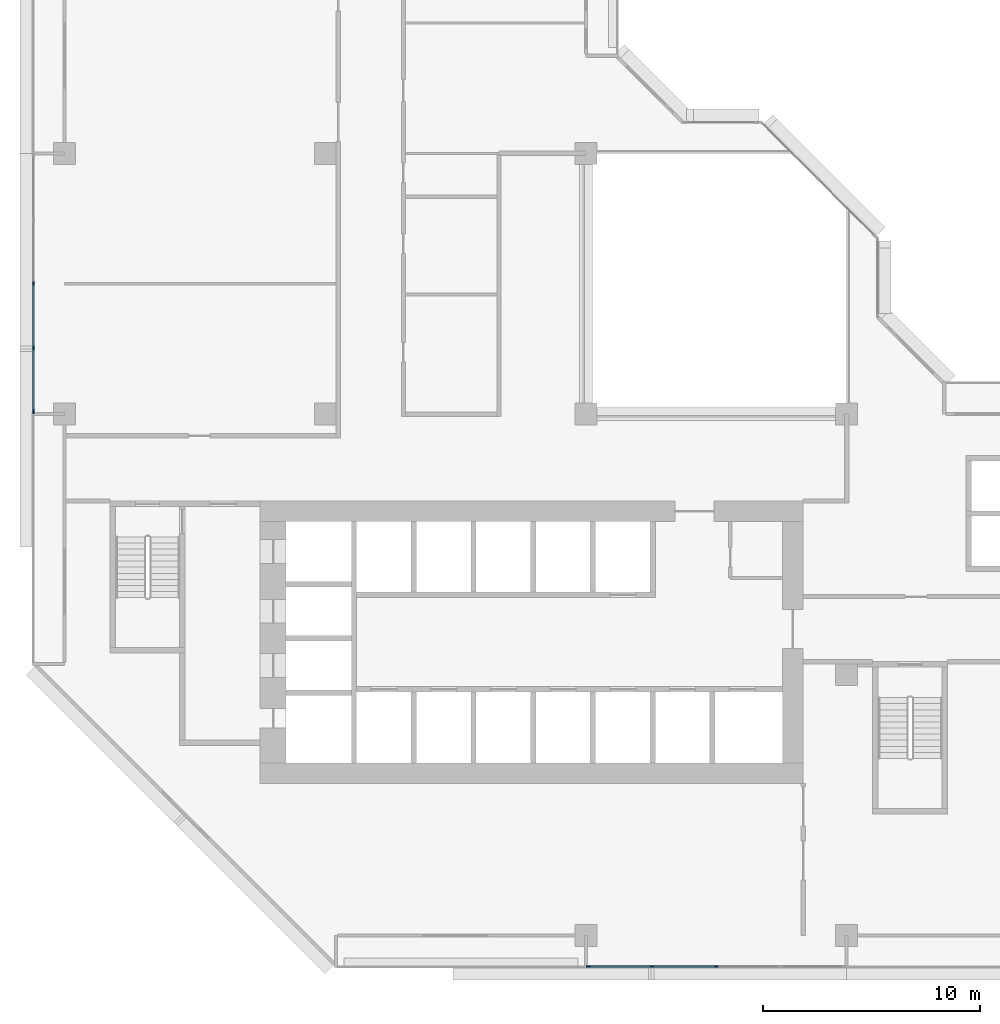
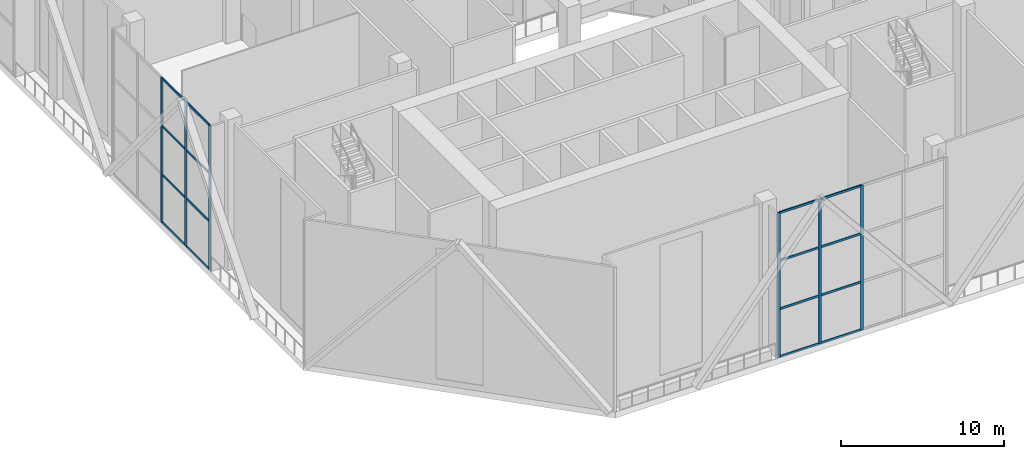
# One storey, part 2 of 21: 22 members, 2 elements without a shape of their own.
"""IFC4 building model written with IfcOpenShell, lengths in metres."""

from ifc_helpers import new_model, si_unit, direction, frame, origin, origin_2d, place, context, subcontext, project, spatial, rectangle, extrude, material, layer, layer_set, material_profile, profile_set, type_object, element, aggregate, save


model = new_model("IFC4")

# Units and contexts
model_context = context("Model", 3, precision=1e-05, world=origin(), true_north=direction((0.0, 1.0)))
body_context = subcontext(model_context, "Body", "Model", "MODEL_VIEW")
ifc_project = project(units=[si_unit("LENGTHUNIT", "METRE"), si_unit("AREAUNIT", "SQUARE_METRE"), si_unit("VOLUMEUNIT", "CUBIC_METRE"), si_unit("PLANEANGLEUNIT", "RADIAN"), si_unit("MASSUNIT", "GRAM", prefix="KILO")], contexts=[model_context])

# Site, building, storey
site_placement = place(None, origin())
site = spatial("IfcSite", under=ifc_project, at=site_placement, CompositionType="ELEMENT")
building_placement = place(site_placement, origin())
building = spatial("IfcBuilding", under=site, at=building_placement, Name="Chenar Terraces", CompositionType="ELEMENT")
storey_placement = place(building_placement, frame((0.0, 0.0, 146.14990234375)))
storey = spatial("IfcBuildingStorey", under=building, at=storey_placement, Name="L34", CompositionType="ELEMENT", Elevation=146.14990234375)

# Curtain wall, members
ifc_material_1 = material(Name="Aluminium framed glazing", Category="aluminium")
ifc_layer = layer(ifc_material_1, 0.14990234375)
ifc_layer_set = layer_set([ifc_layer], Name="Aluminium framed glazing")
curtain_wall_type = type_object("IfcCurtainWallType", Name="Sky garden curtain wall", PredefinedType="NOTDEFINED", material=ifc_layer_set)
placement = place(storey_placement, origin())
curtain_wall_1 = element("IfcCurtainWall", 1, at=placement, inside=storey, type_object=curtain_wall_type, Name="Sky garden curtain wall", PredefinedType="NOTDEFINED")
ifc_material_2 = material(Name="Aluminium", Category="aluminium")
ifc_material_profile_1 = material_profile(ifc_material_2, rectangle(XDim=0.080078125, YDim=0.199951171875, at=origin_2d()), Name="Sky garden mullion 80 x 200")
ifc_profile_set_1 = profile_set([ifc_material_profile_1], Name="Aluminium")
member_type_1 = type_object("IfcMemberType", Name="Sky garden mullion 80 x 200", PredefinedType="MULLION", material=ifc_profile_set_1)
member_1_placement = place(storey_placement, frame((-1.425048828125, 30.0, 0.0), z_axis=(0.0, 0.0, 1.0), x_axis=(1.0, 0.0, 0.0)))
member_1 = element("IfcMember", 2, at=member_1_placement, type_object=member_type_1, Name="CW3-05 mullion 3", PredefinedType="MULLION", context=body_context, shape_type="SweptSolid", body=[
    extrude(rectangle(XDim=0.080078125, YDim=0.199951171875, at=origin_2d()), origin(), (0.0, 0.0, 1.0), 10.85009765625),
])
member_2_placement = place(storey_placement, frame((-1.425048828125, 27.03759765625, 0.0), z_axis=(0.0, 0.0, 1.0), x_axis=(1.0, 0.0, 0.0)))
member_2 = element("IfcMember", 3, at=member_2_placement, type_object=member_type_1, Name="CW3-05 mullion 4", PredefinedType="MULLION", context=body_context, shape_type="SweptSolid", body=[
    extrude(rectangle(XDim=0.080078125, YDim=0.199951171875, at=origin_2d()), origin(), (0.0, 0.0, 1.0), 10.85009765625),
])
member_3_placement = place(storey_placement, frame((-1.425048828125, 24.114990234375, 0.0), z_axis=(0.0, 0.0, 1.0), x_axis=(1.0, 0.0, 0.0)))
member_3 = element("IfcMember", 4, at=member_3_placement, type_object=member_type_1, Name="CW3-05 mullion 5", PredefinedType="MULLION", context=body_context, shape_type="SweptSolid", body=[
    extrude(rectangle(XDim=0.080078125, YDim=0.199951171875, at=origin_2d()), origin(), (0.0, 0.0, 1.0), 10.85009765625),
])

curtain_wall_2 = element("IfcCurtainWall", 5, at=placement, inside=storey, type_object=curtain_wall_type, Name="Sky garden curtain wall", PredefinedType="NOTDEFINED")
member_4_placement = place(storey_placement, frame((24.114990234375, -1.425048828125, 0.0), z_axis=(0.0, 0.0, 1.0), x_axis=(0.0, 1.0, 0.0)))
member_4 = element("IfcMember", 6, at=member_4_placement, type_object=member_type_1, Name="CW3-06 mullion 1", PredefinedType="MULLION", context=body_context, shape_type="SweptSolid", body=[
    extrude(rectangle(XDim=0.080078125, YDim=0.199951171875, at=origin_2d()), origin(), (0.0, 0.0, 1.0), 10.85009765625),
])
member_5_placement = place(storey_placement, frame((27.03759765625, -1.425048828125, 0.0), z_axis=(0.0, 0.0, 1.0), x_axis=(0.0, 1.0, 0.0)))
member_5 = element("IfcMember", 7, at=member_5_placement, type_object=member_type_1, Name="CW3-06 mullion 2", PredefinedType="MULLION", context=body_context, shape_type="SweptSolid", body=[
    extrude(rectangle(XDim=0.080078125, YDim=0.199951171875, at=origin_2d()), origin(), (0.0, 0.0, 1.0), 10.85009765625),
])
member_6_placement = place(storey_placement, frame((30.0, -1.425048828125, 0.0), z_axis=(0.0, 0.0, 1.0), x_axis=(0.0, 1.0, 0.0)))
member_6 = element("IfcMember", 8, at=member_6_placement, type_object=member_type_1, Name="CW3-06 mullion 3", PredefinedType="MULLION", context=body_context, shape_type="SweptSolid", body=[
    extrude(rectangle(XDim=0.080078125, YDim=0.199951171875, at=origin_2d()), origin(), (0.0, 0.0, 1.0), 10.85009765625),
])

# Member
ifc_material_3 = material(Name="Aluminium", Category="aluminium")
ifc_material_profile_2 = material_profile(ifc_material_3, rectangle(XDim=0.080078125, YDim=0.159912109375, at=origin_2d()), Name="Sky garden transom 80 x 160")
ifc_profile_set_2 = profile_set([ifc_material_profile_2], Name="Aluminium")
member_type_2 = type_object("IfcMemberType", Name="Sky garden transom 80 x 160", PredefinedType="USERDEFINED", material=ifc_profile_set_2)
member_7_placement = place(storey_placement, frame((-1.425048828125, 29.9599609375, 0.0400390625), z_axis=(0.0, -1.0, 0.0), x_axis=(1.0, 0.0, 0.0)))
member_7 = element("IfcMember", 9, at=member_7_placement, type_object=member_type_2, Name="CW3-05 transom 3.1", ObjectType="TRANSOM", PredefinedType="USERDEFINED", context=body_context, shape_type="SweptSolid", body=[
    extrude(rectangle(XDim=0.080078125, YDim=0.159912109375, at=origin_2d()), origin(), (0.0, 0.0, 1.0), 2.882568359375),
])

member_8_placement = place(storey_placement, frame((-1.425048828125, 29.9599609375, 3.6171875), z_axis=(0.0, -1.0, 0.0), x_axis=(1.0, 0.0, 0.0)))
member_8 = element("IfcMember", 10, at=member_8_placement, type_object=member_type_2, Name="CW3-05 transom 3.2", ObjectType="TRANSOM", PredefinedType="USERDEFINED", context=body_context, shape_type="SweptSolid", body=[
    extrude(rectangle(XDim=0.080078125, YDim=0.159912109375, at=origin_2d()), origin(), (0.0, 0.0, 1.0), 2.882568359375),
])

member_9_placement = place(storey_placement, frame((-1.425048828125, 29.9599609375, 7.233154296875), z_axis=(0.0, -1.0, 0.0), x_axis=(1.0, 0.0, 0.0)))
member_9 = element("IfcMember", 11, at=member_9_placement, type_object=member_type_2, Name="CW3-05 transom 3.3", ObjectType="TRANSOM", PredefinedType="USERDEFINED", context=body_context, shape_type="SweptSolid", body=[
    extrude(rectangle(XDim=0.080078125, YDim=0.159912109375, at=origin_2d()), origin(), (0.0, 0.0, 1.0), 2.882568359375),
])

member_10_placement = place(storey_placement, frame((-1.425048828125, 29.9599609375, 10.81005859375), z_axis=(0.0, -1.0, 0.0), x_axis=(1.0, 0.0, 0.0)))
member_10 = element("IfcMember", 12, at=member_10_placement, type_object=member_type_2, Name="CW3-05 transom 3.4", ObjectType="TRANSOM", PredefinedType="USERDEFINED", context=body_context, shape_type="SweptSolid", body=[
    extrude(rectangle(XDim=0.080078125, YDim=0.159912109375, at=origin_2d()), origin(), (0.0, 0.0, 1.0), 2.882568359375),
])

member_11_placement = place(storey_placement, frame((-1.425048828125, 26.99755859375, 0.0400390625), z_axis=(0.0, -1.0, 0.0), x_axis=(1.0, 0.0, 0.0)))
member_11 = element("IfcMember", 13, at=member_11_placement, type_object=member_type_2, Name="CW3-05 transom 4.1", ObjectType="TRANSOM", PredefinedType="USERDEFINED", context=body_context, shape_type="SweptSolid", body=[
    extrude(rectangle(XDim=0.080078125, YDim=0.159912109375, at=origin_2d()), origin(), (0.0, 0.0, 1.0), 2.842529296875),
])

member_12_placement = place(storey_placement, frame((-1.425048828125, 26.99755859375, 3.6171875), z_axis=(0.0, -1.0, 0.0), x_axis=(1.0, 0.0, 0.0)))
member_12 = element("IfcMember", 14, at=member_12_placement, type_object=member_type_2, Name="CW3-05 transom 4.2", ObjectType="TRANSOM", PredefinedType="USERDEFINED", context=body_context, shape_type="SweptSolid", body=[
    extrude(rectangle(XDim=0.080078125, YDim=0.159912109375, at=origin_2d()), origin(), (0.0, 0.0, 1.0), 2.842529296875),
])

member_13_placement = place(storey_placement, frame((-1.425048828125, 26.99755859375, 7.233154296875), z_axis=(0.0, -1.0, 0.0), x_axis=(1.0, 0.0, 0.0)))
member_13 = element("IfcMember", 15, at=member_13_placement, type_object=member_type_2, Name="CW3-05 transom 4.3", ObjectType="TRANSOM", PredefinedType="USERDEFINED", context=body_context, shape_type="SweptSolid", body=[
    extrude(rectangle(XDim=0.080078125, YDim=0.159912109375, at=origin_2d()), origin(), (0.0, 0.0, 1.0), 2.842529296875),
])

member_14_placement = place(storey_placement, frame((-1.425048828125, 26.99755859375, 10.81005859375), z_axis=(0.0, -1.0, 0.0), x_axis=(1.0, 0.0, 0.0)))
member_14 = element("IfcMember", 16, at=member_14_placement, type_object=member_type_2, Name="CW3-05 transom 4.4", ObjectType="TRANSOM", PredefinedType="USERDEFINED", context=body_context, shape_type="SweptSolid", body=[
    extrude(rectangle(XDim=0.080078125, YDim=0.159912109375, at=origin_2d()), origin(), (0.0, 0.0, 1.0), 2.842529296875),
])

aggregate(curtain_wall_1, [member_1, member_2, member_3, member_7, member_8, member_9, member_10, member_11, member_12, member_13, member_14])

member_15_placement = place(storey_placement, frame((24.155029296875, -1.425048828125, 0.0400390625), z_axis=(1.0, 0.0, 0.0), x_axis=(0.0, 1.0, 0.0)))
member_15 = element("IfcMember", 17, at=member_15_placement, type_object=member_type_2, Name="CW3-06 transom 1.1", ObjectType="TRANSOM", PredefinedType="USERDEFINED", context=body_context, shape_type="SweptSolid", body=[
    extrude(rectangle(XDim=0.080078125, YDim=0.159912109375, at=origin_2d()), origin(), (0.0, 0.0, 1.0), 2.842529296875),
])

member_16_placement = place(storey_placement, frame((24.155029296875, -1.425048828125, 3.6171875), z_axis=(1.0, 0.0, 0.0), x_axis=(0.0, 1.0, 0.0)))
member_16 = element("IfcMember", 18, at=member_16_placement, type_object=member_type_2, Name="CW3-06 transom 1.2", ObjectType="TRANSOM", PredefinedType="USERDEFINED", context=body_context, shape_type="SweptSolid", body=[
    extrude(rectangle(XDim=0.080078125, YDim=0.159912109375, at=origin_2d()), origin(), (0.0, 0.0, 1.0), 2.842529296875),
])

member_17_placement = place(storey_placement, frame((24.155029296875, -1.425048828125, 7.233154296875), z_axis=(1.0, 0.0, 0.0), x_axis=(0.0, 1.0, 0.0)))
member_17 = element("IfcMember", 19, at=member_17_placement, type_object=member_type_2, Name="CW3-06 transom 1.3", ObjectType="TRANSOM", PredefinedType="USERDEFINED", context=body_context, shape_type="SweptSolid", body=[
    extrude(rectangle(XDim=0.080078125, YDim=0.159912109375, at=origin_2d()), origin(), (0.0, 0.0, 1.0), 2.842529296875),
])

member_18_placement = place(storey_placement, frame((24.155029296875, -1.425048828125, 10.81005859375), z_axis=(1.0, 0.0, 0.0), x_axis=(0.0, 1.0, 0.0)))
member_18 = element("IfcMember", 20, at=member_18_placement, type_object=member_type_2, Name="CW3-06 transom 1.4", ObjectType="TRANSOM", PredefinedType="USERDEFINED", context=body_context, shape_type="SweptSolid", body=[
    extrude(rectangle(XDim=0.080078125, YDim=0.159912109375, at=origin_2d()), origin(), (0.0, 0.0, 1.0), 2.842529296875),
])

member_19_placement = place(storey_placement, frame((27.077392578125, -1.425048828125, 0.0400390625), z_axis=(1.0, 0.0, 0.0), x_axis=(0.0, 1.0, 0.0)))
member_19 = element("IfcMember", 21, at=member_19_placement, type_object=member_type_2, Name="CW3-06 transom 2.1", ObjectType="TRANSOM", PredefinedType="USERDEFINED", context=body_context, shape_type="SweptSolid", body=[
    extrude(rectangle(XDim=0.080078125, YDim=0.159912109375, at=origin_2d()), origin(), (0.0, 0.0, 1.0), 2.882568359375),
])

member_20_placement = place(storey_placement, frame((27.077392578125, -1.425048828125, 3.6171875), z_axis=(1.0, 0.0, 0.0), x_axis=(0.0, 1.0, 0.0)))
member_20 = element("IfcMember", 22, at=member_20_placement, type_object=member_type_2, Name="CW3-06 transom 2.2", ObjectType="TRANSOM", PredefinedType="USERDEFINED", context=body_context, shape_type="SweptSolid", body=[
    extrude(rectangle(XDim=0.080078125, YDim=0.159912109375, at=origin_2d()), origin(), (0.0, 0.0, 1.0), 2.882568359375),
])

member_21_placement = place(storey_placement, frame((27.077392578125, -1.425048828125, 7.233154296875), z_axis=(1.0, 0.0, 0.0), x_axis=(0.0, 1.0, 0.0)))
member_21 = element("IfcMember", 23, at=member_21_placement, type_object=member_type_2, Name="CW3-06 transom 2.3", ObjectType="TRANSOM", PredefinedType="USERDEFINED", context=body_context, shape_type="SweptSolid", body=[
    extrude(rectangle(XDim=0.080078125, YDim=0.159912109375, at=origin_2d()), origin(), (0.0, 0.0, 1.0), 2.882568359375),
])

member_22_placement = place(storey_placement, frame((27.077392578125, -1.425048828125, 10.81005859375), z_axis=(1.0, 0.0, 0.0), x_axis=(0.0, 1.0, 0.0)))
member_22 = element("IfcMember", 24, at=member_22_placement, type_object=member_type_2, Name="CW3-06 transom 2.4", ObjectType="TRANSOM", PredefinedType="USERDEFINED", context=body_context, shape_type="SweptSolid", body=[
    extrude(rectangle(XDim=0.080078125, YDim=0.159912109375, at=origin_2d()), origin(), (0.0, 0.0, 1.0), 2.882568359375),
])

aggregate(curtain_wall_2, [member_4, member_5, member_6, member_15, member_16, member_17, member_18, member_19, member_20, member_21, member_22])

save(model, "model.ifc")
